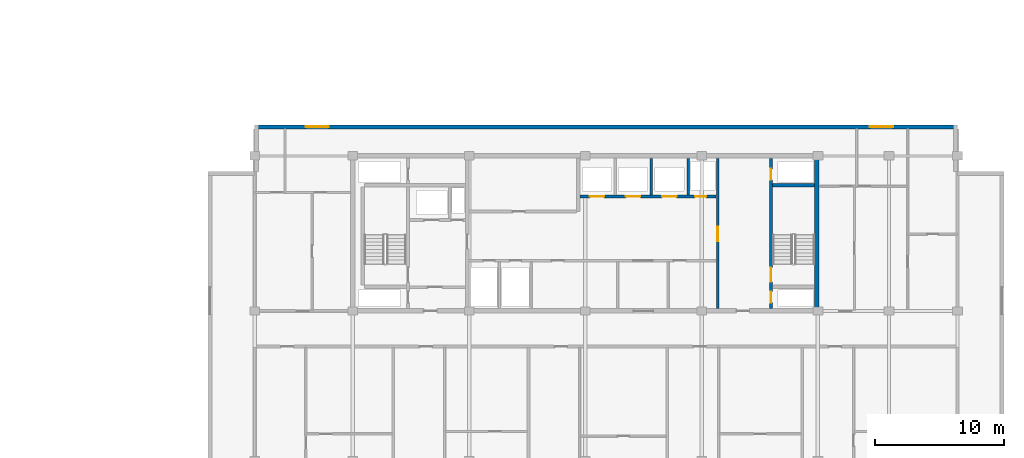
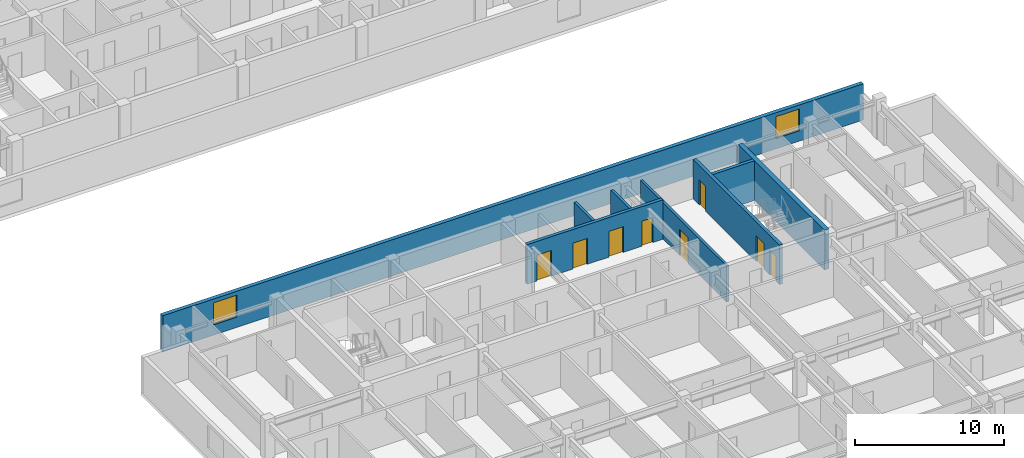
# One storey, part 7 of 21: 8 doors, 8 walls, 2 windows, 10 openings.
"""IFC4 building model written with IfcOpenShell, lengths in metres."""

from ifc_helpers import new_model, si_unit, direction, frame, frame_2d, origin, place, context, subcontext, project, spatial, rectangle, extrude, material, layer, layer_set, type_object, element, fill, save


model = new_model("IFC4")

# Units and contexts
model_context = context("Model", 3, precision=1e-05, world=origin(), true_north=direction((0.0, 1.0)))
body_context = subcontext(model_context, "Body", "Model", "MODEL_VIEW")
ifc_project = project(units=[si_unit("LENGTHUNIT", "METRE"), si_unit("AREAUNIT", "SQUARE_METRE"), si_unit("VOLUMEUNIT", "CUBIC_METRE"), si_unit("PLANEANGLEUNIT", "RADIAN"), si_unit("MASSUNIT", "GRAM", prefix="KILO")], contexts=[model_context])

# Site, building, storey
site_placement = place(None, origin())
site = spatial("IfcSite", under=ifc_project, at=site_placement, CompositionType="ELEMENT")
building_placement = place(site_placement, origin())
building = spatial("IfcBuilding", under=site, at=building_placement, Name="Korimba Cascade Residences", CompositionType="ELEMENT")
storey_placement = place(building_placement, frame((0.0, 0.0, 175.10009765625)))
storey = spatial("IfcBuildingStorey", under=building, at=storey_placement, Name="L50", CompositionType="ELEMENT", Elevation=175.10009765625)

# Wall, openings, windows
ifc_material_1 = material(Name="Precast concrete C40/50", Category="concrete")
ifc_layer_1 = layer(ifc_material_1, 0.300048828125)
ifc_layer_set_1 = layer_set([ifc_layer_1], Name="Precast concrete C40/50")
wall_type_1 = type_object("IfcWallType", Name="EW-STONE-300", PredefinedType="STANDARD", material=ifc_layer_set_1)
wall_1_placement = place(storey_placement, frame((128.89990234375, 32.64990234375, 0.0), z_axis=(0.0, 0.0, 1.0), x_axis=(-1.0, 0.0, 0.0)))
wall_1 = element("IfcWall", 1, at=wall_1_placement, inside=storey, type_object=wall_type_1, Name="L50 T2 Perimeter Stone Wall E06", PredefinedType="STANDARD", context=body_context, shape_type="SweptSolid", body=[
    extrude(rectangle(XDim=54.39990234375, YDim=0.300048828125, at=frame_2d((27.199951171875, 0.0))), origin(), (0.0, 0.0, 1.0), 2.969970703125),
])
opening_1_placement = place(wall_1_placement, frame((48.64990234375, 0.0, 0.85009765625)))
opening_1 = element("IfcOpeningElement", 2, at=opening_1_placement, cuts=wall_1, Name="Opening W-02", PredefinedType="OPENING", context=body_context, shape_type="SweptSolid", body=[
    extrude(rectangle(XDim=1.800048828125, YDim=1.800048828125, at=frame_2d((0.89990234375, 0.89990234375))), frame((0.0, 0.16015625, 0.0), z_axis=(0.0, -1.0, 0.0), x_axis=(1.0, 0.0, 0.0)), (0.0, 0.0, 1.0), 0.320068359375),
])
opening_2_placement = place(wall_1_placement, frame((4.97509765625, 0.0, 0.85009765625)))
opening_2 = element("IfcOpeningElement", 3, at=opening_2_placement, cuts=wall_1, Name="Opening W-02", PredefinedType="OPENING", context=body_context, shape_type="SweptSolid", body=[
    extrude(rectangle(XDim=1.800048828125, YDim=1.800048828125, at=frame_2d((0.89990234375, 0.89990234375))), frame((0.0, 0.16015625, 0.0), z_axis=(0.0, -1.0, 0.0), x_axis=(1.0, 0.0, 0.0)), (0.0, 0.0, 1.0), 0.320068359375),
])
ifc_material_2 = material(Name="Double-Glazed Aluminium Window", Category="aluminium")
window_type = type_object("IfcWindowType", Name="WIN-BED-1800", PartitioningType="SINGLE_PANEL", PredefinedType="WINDOW", material=ifc_material_2)
window_1_placement = place(opening_1_placement, origin())
window_1 = element("IfcWindow", 4, at=window_1_placement, inside=storey, type_object=window_type, Name="L50 T2 North Corner Bedroom Window 1", OverallHeight=1.800048828125, OverallWidth=1.800048828125, PartitioningType="SINGLE_PANEL", PredefinedType="WINDOW", context=body_context, shape_type="SweptSolid", body=[
    extrude(rectangle(XDim=1.800048828125, YDim=1.800048828125, at=frame_2d((0.89990234375, 0.89990234375))), frame((0.0, 0.030029296875, 0.0), z_axis=(0.0, -1.0, 0.0), x_axis=(1.0, 0.0, 0.0)), (0.0, 0.0, 1.0), 0.06005859375),
])
fill(opening_1, window_1)
window_2_placement = place(opening_2_placement, origin())
window_2 = element("IfcWindow", 5, at=window_2_placement, inside=storey, type_object=window_type, Name="L50 T2 North Corner Bedroom Window 2", OverallHeight=1.800048828125, OverallWidth=1.800048828125, PartitioningType="SINGLE_PANEL", PredefinedType="WINDOW", context=body_context, shape_type="SweptSolid", body=[
    extrude(rectangle(XDim=1.800048828125, YDim=1.800048828125, at=frame_2d((0.89990234375, 0.89990234375))), frame((0.0, 0.030029296875, 0.0), z_axis=(0.0, -1.0, 0.0), x_axis=(1.0, 0.0, 0.0)), (0.0, 0.0, 1.0), 0.06005859375),
])
fill(opening_2, window_2)

# Walls
ifc_material_3 = material(Name="Concrete C65/80", Category="concrete")
ifc_layer_2 = layer(ifc_material_3, 0.35009765625)
ifc_layer_set_2 = layer_set([ifc_layer_2], Name="Concrete C65/80")
wall_type_2 = type_object("IfcWallType", Name="WAL-CORE-350", PredefinedType="SHEAR", material=ifc_layer_set_2)
wall_2_placement = place(storey_placement, frame((118.014892578125, 18.574951171875, 0.0), z_axis=(0.0, 0.0, 1.0), x_axis=(0.0, 1.0, 0.0)))
element("IfcWall", 6, at=wall_2_placement, inside=storey, type_object=wall_type_2, Name="L50 Core Shear Wall CW-L50-T2-E", PredefinedType="SHEAR", context=body_context, shape_type="SweptSolid", body=[
    extrude(rectangle(XDim=11.650146484375, YDim=0.35009765625, at=frame_2d((5.8251953125, 0.0))), origin(), (0.0, 0.0, 1.0), 3.25),
])
ifc_material_4 = material(Name="Concrete C40/50", Category="concrete")
ifc_layer_3 = layer(ifc_material_4, 0.199951171875)
ifc_layer_set_3 = layer_set([ifc_layer_3], Name="Concrete C40/50")
wall_type_3 = type_object("IfcWallType", Name="WAL-PART-200", PredefinedType="PARTITIONING", material=ifc_layer_set_3)
for number, where, z_axis, x_axis, name in (
    (7, (105.199951171875, 27.3798828125, 0.0), (0.0, 0.0, 1.0), (0.0, 1.0, 0.0), "L50 Partition Wall CW-L50-T2-B2D2"),
    (8, (108.050048828125, 27.3798828125, 0.0), (0.0, 0.0, 1.0), (0.0, 1.0, 0.0), "L50 Partition Wall CW-L50-T2-B2D3"),
):
    element("IfcWall", number, at=place(storey_placement, frame(where, z_axis=z_axis, x_axis=x_axis)), inside=storey, type_object=wall_type_3, Name=name, PredefinedType="PARTITIONING", context=body_context, shape_type="SweptSolid", body=[
        extrude(rectangle(XDim=2.820068359375, YDim=0.199951171875, at=frame_2d((1.41015625, 0.0))), origin(), (0.0, 0.0, 1.0), 2.969970703125),
    ])

# Wall, opening, door
wall_3_placement = place(storey_placement, frame((110.35009765625, 18.60009765625, 0.0), z_axis=(0.0, 0.0, 1.0), x_axis=(0.0, 1.0, 0.0)))
wall_3 = element("IfcWall", 9, at=wall_3_placement, inside=storey, type_object=wall_type_3, Name="L50 Partition Wall CW-L50-T2-LLEV", PredefinedType="PARTITIONING", context=body_context, shape_type="SweptSolid", body=[
    extrude(rectangle(XDim=11.599853515625, YDim=0.199951171875, at=frame_2d((5.7998046875, 0.0))), origin(), (0.0, 0.0, 1.0), 2.969970703125),
])
opening_3_placement = place(wall_3_placement, frame((5.199951171875, 0.0, 0.0)))
opening_3 = element("IfcOpeningElement", 10, at=opening_3_placement, cuts=wall_3, Name="Opening D-FD6", PredefinedType="OPENING", context=body_context, shape_type="SweptSolid", body=[
    extrude(rectangle(XDim=1.10009765625, YDim=2.14990234375, at=frame_2d((0.550048828125, 1.074951171875))), frame((0.0, 0.10986328125, 0.0), z_axis=(0.0, -1.0, 0.0), x_axis=(1.0, 0.0, 0.0)), (0.0, 0.0, 1.0), 0.219970703125),
])
ifc_material_5 = material(Name="Fire-Rated Timber Stair Lobby Door", Category="wood")
door_type_1 = type_object("IfcDoorType", Name="DR-FD90-1100", OperationType="NOTDEFINED", PredefinedType="DOOR", material=ifc_material_5)
door_1_placement = place(opening_3_placement, origin())
door_1 = element("IfcDoor", 11, at=door_1_placement, inside=storey, type_object=door_type_1, Name="L50 T2 Lift Lobby to East Stair Lobby Door", OperationType="SINGLE_SWING_RIGHT", OverallHeight=2.14990234375, OverallWidth=1.10009765625, PredefinedType="DOOR", context=body_context, shape_type="SweptSolid", body=[
    extrude(rectangle(XDim=1.10009765625, YDim=2.14990234375, at=frame_2d((0.550048828125, 1.074951171875))), frame((0.0, 0.02490234375, 0.0), z_axis=(0.0, -1.0, 0.0), x_axis=(1.0, 0.0, 0.0)), (0.0, 0.0, 1.0), 0.050048828125),
])
fill(opening_3, door_1)

# Wall, openings, doors
ifc_material_6 = material(Name="Concrete C50/60", Category="concrete")
ifc_layer_4 = layer(ifc_material_6, 0.25)
ifc_layer_set_4 = layer_set([ifc_layer_4], Name="Concrete C50/60")
wall_type_4 = type_object("IfcWallType", Name="WAL-SHAFT-250", PredefinedType="SHEAR", material=ifc_layer_set_4)
wall_4_placement = place(storey_placement, frame((99.679931640625, 27.25, 0.0), z_axis=(0.0, 0.0, 1.0), x_axis=(1.0, 0.0, 0.0)))
wall_4 = element("IfcWall", 12, at=wall_4_placement, inside=storey, type_object=wall_type_4, Name="L50 Core Shear Wall CW-L50-T2-B2S", PredefinedType="SHEAR", context=body_context, shape_type="SweptSolid", body=[
    extrude(rectangle(XDim=10.5400390625, YDim=0.25, at=frame_2d((5.27001953125, 0.0))), origin(), (0.0, 0.0, 1.0), 3.25),
])
opening_4_placement = place(wall_4_placement, frame((0.760009765625, 0.0, 0.0)))
opening_4 = element("IfcOpeningElement", 13, at=opening_4_placement, cuts=wall_4, Name="Opening LD-01", PredefinedType="OPENING", context=body_context, shape_type="SweptSolid", body=[
    extrude(rectangle(XDim=1.1201171875, YDim=2.1201171875, at=frame_2d((0.56005859375, 1.06005859375))), frame((0.0, 0.135009765625, 0.0), z_axis=(0.0, -1.0, 0.0), x_axis=(1.0, 0.0, 0.0)), (0.0, 0.0, 1.0), 0.27001953125),
])
opening_5_placement = place(wall_4_placement, frame((3.56005859375, 0.0, 0.0)))
opening_5 = element("IfcOpeningElement", 14, at=opening_5_placement, cuts=wall_4, Name="Opening LD-01", PredefinedType="OPENING", context=body_context, shape_type="SweptSolid", body=[
    extrude(rectangle(XDim=1.1201171875, YDim=2.1201171875, at=frame_2d((0.56005859375, 1.06005859375))), frame((0.0, 0.135009765625, 0.0), z_axis=(0.0, -1.0, 0.0), x_axis=(1.0, 0.0, 0.0)), (0.0, 0.0, 1.0), 0.27001953125),
])
opening_6_placement = place(wall_4_placement, frame((6.360107421875, 0.0, 0.0)))
opening_6 = element("IfcOpeningElement", 15, at=opening_6_placement, cuts=wall_4, Name="Opening LD-01", PredefinedType="OPENING", context=body_context, shape_type="SweptSolid", body=[
    extrude(rectangle(XDim=1.1201171875, YDim=2.1201171875, at=frame_2d((0.56005859375, 1.06005859375))), frame((0.0, 0.135009765625, 0.0), z_axis=(0.0, -1.0, 0.0), x_axis=(1.0, 0.0, 0.0)), (0.0, 0.0, 1.0), 0.27001953125),
])
opening_7_placement = place(wall_4_placement, frame((8.919921875, 0.0, 0.0)))
opening_7 = element("IfcOpeningElement", 16, at=opening_7_placement, cuts=wall_4, Name="Opening D-RS1", PredefinedType="OPENING", context=body_context, shape_type="SweptSolid", body=[
    extrude(rectangle(XDim=0.85009765625, YDim=2.050048828125, at=frame_2d((0.425048828125, 1.02490234375))), frame((0.0, 0.135009765625, 0.0), z_axis=(0.0, -1.0, 0.0), x_axis=(1.0, 0.0, 0.0)), (0.0, 0.0, 1.0), 0.27001953125),
])
ifc_material_7 = material(Name="Fire-Rated Steel Riser Access Door", Category="steel")
door_type_2 = type_object("IfcDoorType", Name="DR-FD60-850", OperationType="NOTDEFINED", PredefinedType="DOOR", material=ifc_material_7)
door_2_placement = place(opening_7_placement, origin())
door_2 = element("IfcDoor", 17, at=door_2_placement, inside=storey, type_object=door_type_2, Name="L50 T2 Duct Door", OperationType="SINGLE_SWING_LEFT", OverallHeight=2.050048828125, OverallWidth=0.85009765625, PredefinedType="DOOR", context=body_context, shape_type="SweptSolid", body=[
    extrude(rectangle(XDim=0.85009765625, YDim=2.050048828125, at=frame_2d((0.425048828125, 1.02490234375))), frame((0.0, 0.02490234375, 0.0), z_axis=(0.0, -1.0, 0.0), x_axis=(1.0, 0.0, 0.0)), (0.0, 0.0, 1.0), 0.050048828125),
])
fill(opening_7, door_2)
ifc_material_8 = material(Name="Stainless Steel Lift Landing Sliding Door", Category="steel")
door_type_3 = type_object("IfcDoorType", Name="DR-LIFT-1100", OperationType="NOTDEFINED", PredefinedType="DOOR", material=ifc_material_8)
door_3_placement = place(opening_4_placement, origin())
door_3 = element("IfcDoor", 18, at=door_3_placement, inside=storey, type_object=door_type_3, Name="L50 Lift Landing Door PL-E4", OperationType="SLIDING_TO_RIGHT", OverallHeight=2.1201171875, OverallWidth=1.1201171875, PredefinedType="DOOR", context=body_context, shape_type="SweptSolid", body=[
    extrude(rectangle(XDim=1.1201171875, YDim=2.1201171875, at=frame_2d((0.56005859375, 1.06005859375))), frame((0.0, 0.02490234375, 0.0), z_axis=(0.0, -1.0, 0.0), x_axis=(1.0, 0.0, 0.0)), (0.0, 0.0, 1.0), 0.050048828125),
])
fill(opening_4, door_3)
door_4_placement = place(opening_5_placement, origin())
door_4 = element("IfcDoor", 19, at=door_4_placement, inside=storey, type_object=door_type_3, Name="L50 Lift Landing Door PL-E5", OperationType="SLIDING_TO_RIGHT", OverallHeight=2.1201171875, OverallWidth=1.1201171875, PredefinedType="DOOR", context=body_context, shape_type="SweptSolid", body=[
    extrude(rectangle(XDim=1.1201171875, YDim=2.1201171875, at=frame_2d((0.56005859375, 1.06005859375))), frame((0.0, 0.02490234375, 0.0), z_axis=(0.0, -1.0, 0.0), x_axis=(1.0, 0.0, 0.0)), (0.0, 0.0, 1.0), 0.050048828125),
])
fill(opening_5, door_4)
door_5_placement = place(opening_6_placement, origin())
door_5 = element("IfcDoor", 20, at=door_5_placement, inside=storey, type_object=door_type_3, Name="L50 Lift Landing Door PL-E6", OperationType="SLIDING_TO_RIGHT", OverallHeight=2.1201171875, OverallWidth=1.1201171875, PredefinedType="DOOR", context=body_context, shape_type="SweptSolid", body=[
    extrude(rectangle(XDim=1.1201171875, YDim=2.1201171875, at=frame_2d((0.56005859375, 1.06005859375))), frame((0.0, 0.02490234375, 0.0), z_axis=(0.0, -1.0, 0.0), x_axis=(1.0, 0.0, 0.0)), (0.0, 0.0, 1.0), 0.050048828125),
])
fill(opening_6, door_5)

wall_5_placement = place(storey_placement, frame((114.47509765625, 18.60009765625, 0.0), z_axis=(0.0, 0.0, 1.0), x_axis=(0.0, 1.0, 0.0)))
wall_5 = element("IfcWall", 21, at=wall_5_placement, inside=storey, type_object=wall_type_4, Name="L50 Core Shear Wall CW-L50-T2-STE2W", PredefinedType="SHEAR", context=body_context, shape_type="SweptSolid", body=[
    extrude(rectangle(XDim=11.599853515625, YDim=0.25, at=frame_2d((5.7998046875, 0.0))), origin(), (0.0, 0.0, 1.0), 3.25),
])
opening_8_placement = place(wall_5_placement, frame((0.449951171875, 0.0, 0.0)))
opening_8 = element("IfcOpeningElement", 22, at=opening_8_placement, cuts=wall_5, Name="Opening D-RS1", PredefinedType="OPENING", context=body_context, shape_type="SweptSolid", body=[
    extrude(rectangle(XDim=0.85009765625, YDim=2.050048828125, at=frame_2d((0.425048828125, 1.02490234375))), frame((0.0, 0.135009765625, 0.0), z_axis=(0.0, -1.0, 0.0), x_axis=(1.0, 0.0, 0.0)), (0.0, 0.0, 1.0), 0.27001953125),
])
opening_9_placement = place(wall_5_placement, frame((2.050048828125, 0.0, 0.0)))
opening_9 = element("IfcOpeningElement", 23, at=opening_9_placement, cuts=wall_5, Name="Opening D-FD1", PredefinedType="OPENING", context=body_context, shape_type="SweptSolid", body=[
    extrude(rectangle(XDim=1.10009765625, YDim=2.10009765625, at=frame_2d((0.550048828125, 1.050048828125))), frame((0.0, 0.135009765625, 0.0), z_axis=(0.0, -1.0, 0.0), x_axis=(1.0, 0.0, 0.0)), (0.0, 0.0, 1.0), 0.27001953125),
])
opening_10_placement = place(wall_5_placement, frame((9.949951171875, 0.0, 0.0)))
opening_10 = element("IfcOpeningElement", 24, at=opening_10_placement, cuts=wall_5, Name="Opening D-RS1", PredefinedType="OPENING", context=body_context, shape_type="SweptSolid", body=[
    extrude(rectangle(XDim=0.85009765625, YDim=2.050048828125, at=frame_2d((0.425048828125, 1.02490234375))), frame((0.0, 0.135009765625, 0.0), z_axis=(0.0, -1.0, 0.0), x_axis=(1.0, 0.0, 0.0)), (0.0, 0.0, 1.0), 0.27001953125),
])
ifc_material_9 = material(Name="Fire-Rated Steel Core Door", Category="steel")
door_type_4 = type_object("IfcDoorType", Name="DR-FD120-1100", OperationType="NOTDEFINED", PredefinedType="DOOR", material=ifc_material_9)
door_6_placement = place(opening_9_placement, origin())
door_6 = element("IfcDoor", 25, at=door_6_placement, inside=storey, type_object=door_type_4, Name="L50 Fire Stair ST-E2 Door", OperationType="SINGLE_SWING_RIGHT", OverallHeight=2.10009765625, OverallWidth=1.10009765625, PredefinedType="DOOR", context=body_context, shape_type="SweptSolid", body=[
    extrude(rectangle(XDim=1.10009765625, YDim=2.10009765625, at=frame_2d((0.550048828125, 1.050048828125))), frame((0.0, 0.02490234375, 0.0), z_axis=(0.0, -1.0, 0.0), x_axis=(1.0, 0.0, 0.0)), (0.0, 0.0, 1.0), 0.050048828125),
])
fill(opening_9, door_6)
door_7_placement = place(opening_8_placement, origin())
door_7 = element("IfcDoor", 26, at=door_7_placement, inside=storey, type_object=door_type_2, Name="L50 T2 East Hydrant Door", OperationType="SINGLE_SWING_LEFT", OverallHeight=2.050048828125, OverallWidth=0.85009765625, PredefinedType="DOOR", context=body_context, shape_type="SweptSolid", body=[
    extrude(rectangle(XDim=0.85009765625, YDim=2.050048828125, at=frame_2d((0.425048828125, 1.02490234375))), frame((0.0, 0.02490234375, 0.0), z_axis=(0.0, -1.0, 0.0), x_axis=(1.0, 0.0, 0.0)), (0.0, 0.0, 1.0), 0.050048828125),
])
fill(opening_8, door_7)
door_8_placement = place(opening_10_placement, origin())
door_8 = element("IfcDoor", 27, at=door_8_placement, inside=storey, type_object=door_type_2, Name="L50 T2 East Riser Door", OperationType="SINGLE_SWING_LEFT", OverallHeight=2.050048828125, OverallWidth=0.85009765625, PredefinedType="DOOR", context=body_context, shape_type="SweptSolid", body=[
    extrude(rectangle(XDim=0.85009765625, YDim=2.050048828125, at=frame_2d((0.425048828125, 1.02490234375))), frame((0.0, 0.02490234375, 0.0), z_axis=(0.0, -1.0, 0.0), x_axis=(1.0, 0.0, 0.0)), (0.0, 0.0, 1.0), 0.050048828125),
])
fill(opening_10, door_8)

# Wall
wall_6_placement = place(storey_placement, frame((114.60009765625, 28.125, 0.0), z_axis=(0.0, 0.0, 1.0), x_axis=(1.0, 0.0, 0.0)))
element("IfcWall", 28, at=wall_6_placement, inside=storey, type_object=wall_type_4, Name="L50 Core Shear Wall CW-L50-T2-STE2N", PredefinedType="SHEAR", context=body_context, shape_type="SweptSolid", body=[
    extrude(rectangle(XDim=3.239990234375, YDim=0.25, at=frame_2d((1.6201171875, 0.0))), origin(), (0.0, 0.0, 1.0), 3.25),
])

save(model, "model.ifc")
